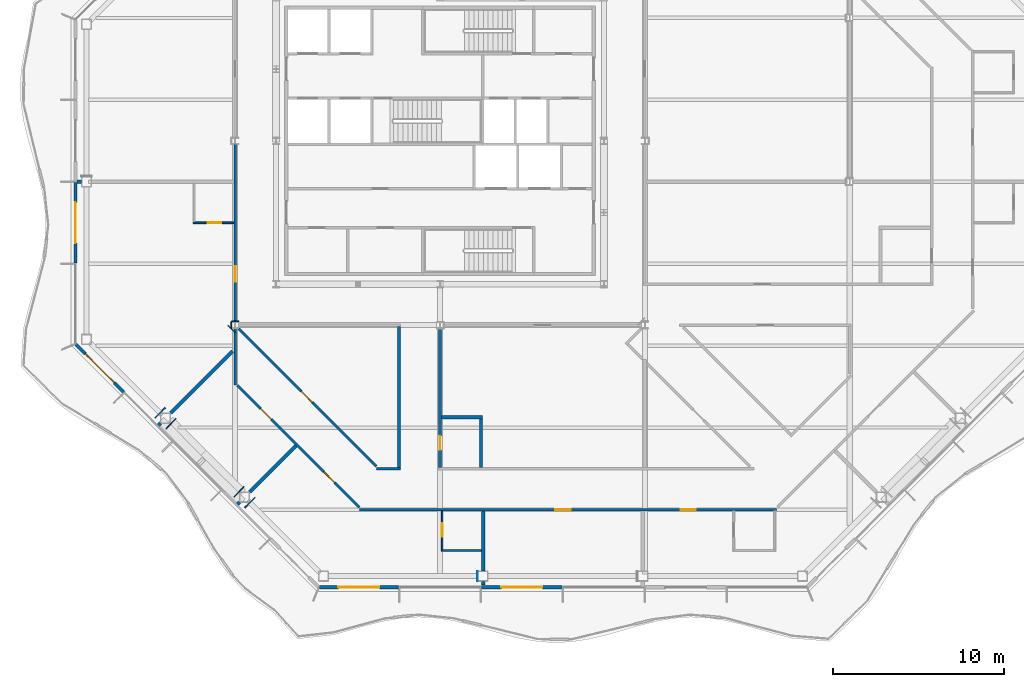
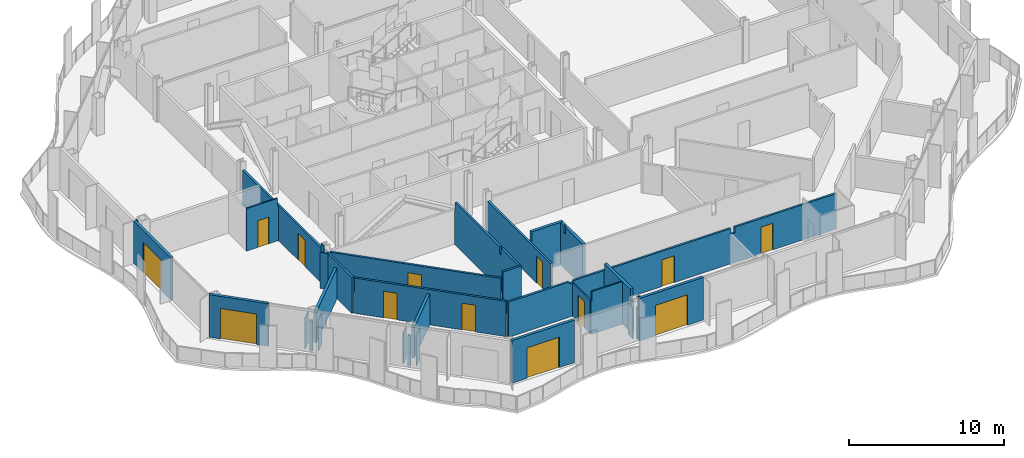
# One storey, part 7 of 19: 32 walls, 13 doors, 13 openings.
"""IFC4 building model written with IfcOpenShell, lengths in metres."""

from ifc_helpers import new_model, si_unit, direction, frame, frame_2d, origin, place, context, subcontext, project, spatial, polyline, rectangle, outline, extrude, material, layer, layer_set, type_object, element, fill, save


model = new_model("IFC4")

# Units and contexts
model_context = context("Model", 3, precision=1e-05, world=origin(), true_north=direction((0.0, 1.0)))
body_context = subcontext(model_context, "Body", "Model", "MODEL_VIEW")
ifc_project = project(units=[si_unit("LENGTHUNIT", "METRE"), si_unit("AREAUNIT", "SQUARE_METRE"), si_unit("VOLUMEUNIT", "CUBIC_METRE"), si_unit("PLANEANGLEUNIT", "RADIAN"), si_unit("MASSUNIT", "GRAM", prefix="KILO")], contexts=[model_context])

# Site, building, storey
site_placement = place(None, origin())
site = spatial("IfcSite", under=ifc_project, at=site_placement, CompositionType="ELEMENT")
building_placement = place(site_placement, origin())
building = spatial("IfcBuilding", under=site, at=building_placement, Name="Cairn Pilgrim Tower", CompositionType="ELEMENT")
storey_placement = place(building_placement, frame((0.0, 0.0, 201.0)))
storey = spatial("IfcBuildingStorey", under=building, at=storey_placement, Name="L51", CompositionType="ELEMENT", Elevation=201.0)

# Wall, opening, door
ifc_material_1 = material(Name="Bronze anodised aluminium insulated sandwich panel with mineral wool fill", Category="aluminium")
ifc_layer_1 = layer(ifc_material_1, 0.199951171875)
ifc_layer_set_1 = layer_set([ifc_layer_1], Name="BRONZE INFILL FRAME WALL 200")
wall_type_1 = type_object("IfcWallType", Name="BRONZE INFILL FRAME WALL 200", PredefinedType="NOTDEFINED", material=ifc_layer_set_1)
wall_1_placement = place(storey_placement, frame((0.1435546875, -23.75, 0.0), z_axis=(0.0, 0.0, 1.0), x_axis=(1.0, 0.0, 0.0)))
wall_1 = element("IfcWall", 1, at=wall_1_placement, inside=storey, type_object=wall_type_1, Name="Bronze infill frame wall IW-S1", PredefinedType="NOTDEFINED", context=body_context, shape_type="SweptSolid", body=[
    extrude(rectangle(XDim=4.62646484375, YDim=0.199951171875, at=frame_2d((2.313232421875, 0.0))), origin(), (0.0, 0.0, 1.0), 3.35009765625),
])
opening_1_placement = place(wall_1_placement, frame((1.1083984375, 0.0, 0.0)))
opening_1 = element("IfcOpeningElement", 2, at=opening_1_placement, cuts=wall_1, Name="Opening 5113B2", PredefinedType="OPENING", context=body_context, shape_type="SweptSolid", body=[
    extrude(rectangle(XDim=2.39990234375, YDim=2.39990234375, at=frame_2d((1.199951171875, 1.199951171875))), frame((0.0, 0.10986328125, 0.0), z_axis=(0.0, -1.0, 0.0), x_axis=(1.0, 0.0, 0.0)), (0.0, 0.0, 1.0), 0.219970703125),
])
ifc_material_2 = material(Name="Bronze anodised aluminium frame with tinted low-E glass", Category="aluminium")
door_type_1 = type_object("IfcDoorType", Name="BALCONY SLIDING DOOR 2400x2400", OperationType="DOUBLE_DOOR_SLIDING", PredefinedType="DOOR", material=ifc_material_2)
door_1_placement = place(opening_1_placement, origin())
door_1 = element("IfcDoor", 3, at=door_1_placement, inside=storey, type_object=door_type_1, Name="Balcony sliding door 5113B2", OperationType="SINGLE_SWING_LEFT", OverallHeight=2.39990234375, OverallWidth=2.39990234375, PredefinedType="DOOR", context=body_context, shape_type="SweptSolid", body=[
    extrude(rectangle(XDim=2.39990234375, YDim=2.39990234375, at=frame_2d((1.199951171875, 1.199951171875))), frame((0.0, 0.02490234375, 0.0), z_axis=(0.0, -1.0, 0.0), x_axis=(1.0, 0.0, 0.0)), (0.0, 0.0, 1.0), 0.050048828125),
])
fill(opening_1, door_1)

wall_2_placement = place(storey_placement, frame((9.6298828125, -23.75, 0.0), z_axis=(0.0, 0.0, 1.0), x_axis=(1.0, 0.0, 0.0)))
wall_2 = element("IfcWall", 4, at=wall_2_placement, inside=storey, type_object=wall_type_1, Name="Bronze infill frame wall IW-S3", PredefinedType="NOTDEFINED", context=body_context, shape_type="SweptSolid", body=[
    extrude(rectangle(XDim=4.740234375, YDim=0.199951171875, at=frame_2d((2.3701171875, 0.0))), origin(), (0.0, 0.0, 1.0), 3.35009765625),
])
opening_2_placement = place(wall_2_placement, frame((1.17041015625, 0.0, 0.0)))
opening_2 = element("IfcOpeningElement", 5, at=opening_2_placement, cuts=wall_2, Name="Opening 5101B", PredefinedType="OPENING", context=body_context, shape_type="SweptSolid", body=[
    extrude(rectangle(XDim=2.39990234375, YDim=2.39990234375, at=frame_2d((1.199951171875, 1.199951171875))), frame((0.0, 0.10986328125, 0.0), z_axis=(0.0, -1.0, 0.0), x_axis=(1.0, 0.0, 0.0)), (0.0, 0.0, 1.0), 0.219970703125),
])
door_2_placement = place(opening_2_placement, origin())
door_2 = element("IfcDoor", 6, at=door_2_placement, inside=storey, type_object=door_type_1, Name="Balcony sliding door 5101B", OperationType="SINGLE_SWING_LEFT", OverallHeight=2.39990234375, OverallWidth=2.39990234375, PredefinedType="DOOR", context=body_context, shape_type="SweptSolid", body=[
    extrude(rectangle(XDim=2.39990234375, YDim=2.39990234375, at=frame_2d((1.199951171875, 1.199951171875))), frame((0.0, 0.02490234375, 0.0), z_axis=(0.0, -1.0, 0.0), x_axis=(1.0, 0.0, 0.0)), (0.0, 0.0, 1.0), 0.050048828125),
])
fill(opening_2, door_2)

wall_3_placement = place(storey_placement, frame((-14.14990234375, -0.030029296875, 0.0), z_axis=(0.0, 0.0, 1.0), x_axis=(0.0, -1.0, 0.0)))
wall_3 = element("IfcWall", 7, at=wall_3_placement, inside=storey, type_object=wall_type_1, Name="Bronze infill frame wall IW-W3", PredefinedType="NOTDEFINED", context=body_context, shape_type="SweptSolid", body=[
    extrude(rectangle(XDim=4.739990234375, YDim=0.199951171875, at=frame_2d((2.3701171875, 0.0))), origin(), (0.0, 0.0, 1.0), 3.35009765625),
])
opening_3_placement = place(wall_3_placement, frame((1.169921875, 0.0, 0.0)))
opening_3 = element("IfcOpeningElement", 8, at=opening_3_placement, cuts=wall_3, Name="Opening 5111B", PredefinedType="OPENING", context=body_context, shape_type="SweptSolid", body=[
    extrude(rectangle(XDim=2.39990234375, YDim=2.39990234375, at=frame_2d((1.199951171875, 1.199951171875))), frame((0.0, 0.10986328125, 0.0), z_axis=(0.0, -1.0, 0.0), x_axis=(1.0, 0.0, 0.0)), (0.0, 0.0, 1.0), 0.219970703125),
])
door_3_placement = place(opening_3_placement, origin())
door_3 = element("IfcDoor", 9, at=door_3_placement, inside=storey, type_object=door_type_1, Name="Balcony sliding door 5111B", OperationType="SINGLE_SWING_LEFT", OverallHeight=2.39990234375, OverallWidth=2.39990234375, PredefinedType="DOOR", context=body_context, shape_type="SweptSolid", body=[
    extrude(rectangle(XDim=2.39990234375, YDim=2.39990234375, at=frame_2d((1.199951171875, 1.199951171875))), frame((0.0, 0.02490234375, 0.0), z_axis=(0.0, -1.0, 0.0), x_axis=(1.0, 0.0, 0.0)), (0.0, 0.0, 1.0), 0.050048828125),
])
fill(opening_3, door_3)

wall_4_placement = place(storey_placement, frame((-14.121826171875, -9.524658203125, 0.0), z_axis=(0.0, 0.0, 1.0), x_axis=(0.707106781187, -0.707106781187, 0.0)))
wall_4 = element("IfcWall", 10, at=wall_4_placement, inside=storey, type_object=wall_type_1, Name="Bronze infill frame wall IW-SW1", PredefinedType="NOTDEFINED", context=body_context, shape_type="SweptSolid", body=[
    extrude(rectangle(XDim=3.961669921875, YDim=0.199951171875, at=frame_2d((1.98095703125, 0.0))), origin(), (0.0, 0.0, 1.0), 3.35009765625),
])
opening_4_placement = place(wall_4_placement, frame((0.775390625, 0.0, 0.0)))
opening_4 = element("IfcOpeningElement", 11, at=opening_4_placement, cuts=wall_4, Name="Opening 5111B2", PredefinedType="OPENING", context=body_context, shape_type="SweptSolid", body=[
    extrude(rectangle(XDim=2.39990234375, YDim=2.39990234375, at=frame_2d((1.199951171875, 1.199951171875))), frame((0.0, 0.10986328125, 0.0), z_axis=(0.0, -1.0, 0.0), x_axis=(1.0, 0.0, 0.0)), (0.0, 0.0, 1.0), 0.219970703125),
])
door_4_placement = place(opening_4_placement, origin())
door_4 = element("IfcDoor", 12, at=door_4_placement, inside=storey, type_object=door_type_1, Name="Balcony sliding door 5111B2", OperationType="SINGLE_SWING_LEFT", OverallHeight=2.39990234375, OverallWidth=2.39990234375, PredefinedType="DOOR", context=body_context, shape_type="SweptSolid", body=[
    extrude(rectangle(XDim=2.39990234375, YDim=2.39990234375, at=frame_2d((1.199951171875, 1.199951171875))), frame((0.0, 0.02490234375, 0.0), z_axis=(0.0, -1.0, 0.0), x_axis=(1.0, 0.0, 0.0)), (0.0, 0.0, 1.0), 0.050048828125),
])
fill(opening_4, door_4)

# Wall
ifc_material_3 = material(Name="Gypsum partition")
ifc_layer_2 = layer(ifc_material_3, 0.10009765625)
ifc_layer_set_2 = layer_set([ifc_layer_2], Name="PARTITION 100 DRYWALL")
wall_type_2 = type_object("IfcWallType", Name="PARTITION 100 DRYWALL", PredefinedType="PARTITIONING", material=ifc_layer_set_2)
wall_5_placement = place(storey_placement, frame((7.27392578125, -21.60009765625, 0.0), z_axis=(0.0, 0.0, 1.0), x_axis=(1.0, 0.0, 0.0)))
element("IfcWall", 13, at=wall_5_placement, inside=storey, type_object=wall_type_2, Name="PARTITION W005", PredefinedType="PARTITIONING", context=body_context, shape_type="SweptSolid", body=[
    extrude(outline(polyline([(0.0, 0.0), (2.35009765625, 0.0), (2.35009765625, 3.35009765625), (0.075927734375, 3.35009765625), (0.073974609375, 2.6298828125), (0.0, 2.6298828125), (0.0, 0.0)])), frame((0.0, 0.050048828125, 0.0), z_axis=(0.0, -1.0, 0.0), x_axis=(1.0, 0.0, 0.0)), (0.0, 0.0, 1.0), 0.10009765625),
])

# Wall, opening, door
wall_6_placement = place(storey_placement, frame((7.323974609375, -21.550048828125, 0.0), z_axis=(0.0, 0.0, 1.0), x_axis=(0.0, 1.0, 0.0)))
wall_6 = element("IfcWall", 14, at=wall_6_placement, inside=storey, type_object=wall_type_2, Name="PARTITION W006", PredefinedType="PARTITIONING", context=body_context, shape_type="SweptSolid", body=[
    extrude(rectangle(XDim=2.275146484375, YDim=0.10009765625, at=frame_2d((1.1376953125, 0.0))), origin(), (0.0, 0.0, 1.0), 2.6298828125),
])
opening_5_placement = place(wall_6_placement, frame((0.75, 0.0, 0.0)))
opening_5 = element("IfcOpeningElement", 15, at=opening_5_placement, cuts=wall_6, Name="Opening 5113A", PredefinedType="OPENING", context=body_context, shape_type="SweptSolid", body=[
    extrude(rectangle(XDim=0.800048828125, YDim=2.10009765625, at=frame_2d((0.39990234375, 1.050048828125))), frame((0.0, 0.06005859375, 0.0), z_axis=(0.0, -1.0, 0.0), x_axis=(1.0, 0.0, 0.0)), (0.0, 0.0, 1.0), 0.1201171875),
])
ifc_material_4 = material(Name="Timber door leaf", Category="wood")
door_type_2 = type_object("IfcDoorType", Name="WC DOOR 800x2100", OperationType="NOTDEFINED", PredefinedType="DOOR", material=ifc_material_4)
door_5_placement = place(opening_5_placement, origin())
door_5 = element("IfcDoor", 16, at=door_5_placement, inside=storey, type_object=door_type_2, Name="DOOR 5113A", OperationType="SINGLE_SWING_RIGHT", OverallHeight=2.10009765625, OverallWidth=0.800048828125, PredefinedType="DOOR", context=body_context, shape_type="SweptSolid", body=[
    extrude(rectangle(XDim=0.800048828125, YDim=2.10009765625, at=frame_2d((0.39990234375, 1.050048828125))), frame((0.0, 0.02490234375, 0.0), z_axis=(0.0, -1.0, 0.0), x_axis=(1.0, 0.0, 0.0)), (0.0, 0.0, 1.0), 0.050048828125),
])
fill(opening_5, door_5)

wall_7_placement = place(storey_placement, frame((-7.25, -2.39990234375, 0.0), z_axis=(0.0, 0.0, 1.0), x_axis=(1.0, 0.0, 0.0)))
wall_7 = element("IfcWall", 17, at=wall_7_placement, inside=storey, type_object=wall_type_2, Name="PARTITION W048", PredefinedType="PARTITIONING", context=body_context, shape_type="SweptSolid", body=[
    extrude(outline(polyline([(0.0, 0.0), (2.375, 0.0), (2.375, 2.72998046875), (2.300048828125, 2.72998046875), (2.298095703125, 3.35009765625), (0.0, 3.35009765625), (0.0, 0.0)])), frame((0.0, 0.050048828125, 0.0), z_axis=(0.0, -1.0, 0.0), x_axis=(1.0, 0.0, 0.0)), (0.0, 0.0, 1.0), 0.10009765625),
])
opening_6_placement = place(wall_7_placement, frame((0.85009765625, 0.0, 0.0)))
opening_6 = element("IfcOpeningElement", 18, at=opening_6_placement, cuts=wall_7, Name="Opening 5111A", PredefinedType="OPENING", context=body_context, shape_type="SweptSolid", body=[
    extrude(rectangle(XDim=0.800048828125, YDim=2.10009765625, at=frame_2d((0.39990234375, 1.050048828125))), frame((0.0, 0.06005859375, 0.0), z_axis=(0.0, -1.0, 0.0), x_axis=(1.0, 0.0, 0.0)), (0.0, 0.0, 1.0), 0.1201171875),
])
door_6_placement = place(opening_6_placement, frame((0.800048828125, 0.0, 0.0), z_axis=(0.0, 0.0, 1.0), x_axis=(-1.0, 0.0, 0.0)))
door_6 = element("IfcDoor", 19, at=door_6_placement, inside=storey, type_object=door_type_2, Name="DOOR 5111A", OperationType="SINGLE_SWING_RIGHT", OverallHeight=2.10009765625, OverallWidth=0.800048828125, PredefinedType="DOOR", context=body_context, shape_type="SweptSolid", body=[
    extrude(rectangle(XDim=0.800048828125, YDim=2.10009765625, at=frame_2d((0.39990234375, 1.050048828125))), frame((0.0, 0.02490234375, 0.0), z_axis=(0.0, -1.0, 0.0), x_axis=(1.0, 0.0, 0.0)), (0.0, 0.0, 1.0), 0.050048828125),
])
fill(opening_6, door_6)

# Wall, openings, doors
ifc_layer_3 = layer(ifc_material_3, 0.14990234375)
ifc_layer_set_3 = layer_set([ifc_layer_3], Name="PARTITION 150 DRYWALL EI 60")
wall_type_3 = type_object("IfcWallType", Name="PARTITION 150 DRYWALL EI 60", PredefinedType="PARTITIONING", material=ifc_layer_set_3)
wall_8_placement = place(storey_placement, frame((2.5, -19.199951171875, 0.0), z_axis=(0.0, 0.0, 1.0), x_axis=(1.0, 0.0, 0.0)))
wall_8 = element("IfcWall", 20, at=wall_8_placement, inside=storey, type_object=wall_type_3, Name="PARTITION W010", PredefinedType="PARTITIONING", context=body_context, shape_type="SweptSolid", body=[
    extrude(outline(polyline([(0.0, 0.0), (24.417724609375, 0.0), (24.41796875, 2.780029296875), (16.85107421875, 2.780029296875), (16.84912109375, 2.322021484375), (16.549072265625, 2.322021484375), (16.547119140625, 2.780029296875), (4.85009765625, 2.780029296875), (4.84814453125, 2.6298828125), (4.550048828125, 2.6298828125), (4.548095703125, 2.780029296875), (0.0, 2.780029296875), (0.0, 0.0)])), frame((0.0, 0.074951171875, 0.0), z_axis=(0.0, -1.0, 0.0), x_axis=(1.0, 0.0, 0.0)), (0.0, 0.0, 1.0), 0.14990234375),
])
opening_7_placement = place(wall_8_placement, frame((11.449951171875, 0.0, 0.0)))
opening_7 = element("IfcOpeningElement", 21, at=opening_7_placement, cuts=wall_8, Name="Opening 5101", PredefinedType="OPENING", context=body_context, shape_type="SweptSolid", body=[
    extrude(rectangle(XDim=0.89990234375, YDim=2.10009765625, at=frame_2d((0.449951171875, 1.050048828125))), frame((0.0, 0.0849609375, 0.0), z_axis=(0.0, -1.0, 0.0), x_axis=(1.0, 0.0, 0.0)), (0.0, 0.0, 1.0), 0.169921875),
])
opening_8_placement = place(wall_8_placement, frame((18.7939453125, 0.0, 0.0)))
opening_8 = element("IfcOpeningElement", 22, at=opening_8_placement, cuts=wall_8, Name="Opening 5102", PredefinedType="OPENING", context=body_context, shape_type="SweptSolid", body=[
    extrude(rectangle(XDim=0.89990234375, YDim=2.10009765625, at=frame_2d((0.449951171875, 1.050048828125))), frame((0.0, 0.0849609375, 0.0), z_axis=(0.0, -1.0, 0.0), x_axis=(1.0, 0.0, 0.0)), (0.0, 0.0, 1.0), 0.169921875),
])
door_type_3 = type_object("IfcDoorType", Name="ROOM DOOR 900x2100 FD30S", OperationType="NOTDEFINED", PredefinedType="DOOR", material=ifc_material_4)
door_7_placement = place(opening_8_placement, frame((0.89990234375, 0.0, 0.0), z_axis=(0.0, 0.0, 1.0), x_axis=(-1.0, 0.0, 0.0)))
door_7 = element("IfcDoor", 23, at=door_7_placement, inside=storey, type_object=door_type_3, Name="DOOR 5102", OperationType="SINGLE_SWING_LEFT", OverallHeight=2.10009765625, OverallWidth=0.89990234375, PredefinedType="DOOR", context=body_context, shape_type="SweptSolid", body=[
    extrude(rectangle(XDim=0.89990234375, YDim=2.10009765625, at=frame_2d((0.449951171875, 1.050048828125))), frame((0.0, 0.02490234375, 0.0), z_axis=(0.0, -1.0, 0.0), x_axis=(1.0, 0.0, 0.0)), (0.0, 0.0, 1.0), 0.050048828125),
])
fill(opening_8, door_7)
door_type_4 = type_object("IfcDoorType", Name="SERVICE DOOR 900x2100 FD30S", OperationType="NOTDEFINED", PredefinedType="DOOR", material=ifc_material_4)
door_8_placement = place(opening_7_placement, frame((0.89990234375, 0.0, 0.0), z_axis=(0.0, 0.0, 1.0), x_axis=(-1.0, 0.0, 0.0)))
door_8 = element("IfcDoor", 24, at=door_8_placement, inside=storey, type_object=door_type_4, Name="DOOR 5101", OperationType="SINGLE_SWING_LEFT", OverallHeight=2.10009765625, OverallWidth=0.89990234375, PredefinedType="DOOR", context=body_context, shape_type="SweptSolid", body=[
    extrude(rectangle(XDim=0.89990234375, YDim=2.10009765625, at=frame_2d((0.449951171875, 1.050048828125))), frame((0.0, 0.02490234375, 0.0), z_axis=(0.0, -1.0, 0.0), x_axis=(1.0, 0.0, 0.0)), (0.0, 0.0, 1.0), 0.050048828125),
])
fill(opening_7, door_8)

wall_9_placement = place(storey_placement, frame((2.47802734375, -19.072021484375, 0.0), z_axis=(0.0, 0.0, 1.0), x_axis=(-0.707106781187, 0.707106781187, 0.0)))
wall_9 = element("IfcWall", 25, at=wall_9_placement, inside=storey, type_object=wall_type_3, Name="PARTITION W011", PredefinedType="PARTITIONING", context=body_context, shape_type="SweptSolid", body=[
    extrude(rectangle(XDim=10.111572265625, YDim=0.14990234375, at=frame_2d((5.0556640625, 0.0))), origin(), (0.0, 0.0, 1.0), 2.780029296875),
])
opening_9_placement = place(wall_9_placement, frame((7.2861328125, 0.0, 0.0)))
opening_9 = element("IfcOpeningElement", 26, at=opening_9_placement, cuts=wall_9, Name="Opening 5112", PredefinedType="OPENING", context=body_context, shape_type="SweptSolid", body=[
    extrude(rectangle(XDim=0.89990234375, YDim=2.10009765625, at=frame_2d((0.449951171875, 1.050048828125))), frame((0.0, 0.0849609375, 0.0), z_axis=(0.0, -1.0, 0.0), x_axis=(1.0, 0.0, 0.0)), (0.0, 0.0, 1.0), 0.169921875),
])
opening_10_placement = place(wall_9_placement, frame((2.050048828125, 0.0, 0.0)))
opening_10 = element("IfcOpeningElement", 27, at=opening_10_placement, cuts=wall_9, Name="Opening 5113", PredefinedType="OPENING", context=body_context, shape_type="SweptSolid", body=[
    extrude(rectangle(XDim=0.89990234375, YDim=2.10009765625, at=frame_2d((0.449951171875, 1.050048828125))), frame((0.0, 0.0849609375, 0.0), z_axis=(0.0, -1.0, 0.0), x_axis=(1.0, 0.0, 0.0)), (0.0, 0.0, 1.0), 0.169921875),
])
door_9_placement = place(opening_10_placement, origin())
door_9 = element("IfcDoor", 28, at=door_9_placement, inside=storey, type_object=door_type_3, Name="DOOR 5113", OperationType="SINGLE_SWING_RIGHT", OverallHeight=2.10009765625, OverallWidth=0.89990234375, PredefinedType="DOOR", context=body_context, shape_type="SweptSolid", body=[
    extrude(rectangle(XDim=0.89990234375, YDim=2.10009765625, at=frame_2d((0.449951171875, 1.050048828125))), frame((0.0, 0.02490234375, 0.0), z_axis=(0.0, -1.0, 0.0), x_axis=(1.0, 0.0, 0.0)), (0.0, 0.0, 1.0), 0.050048828125),
])
fill(opening_10, door_9)
door_10_placement = place(opening_9_placement, origin())
door_10 = element("IfcDoor", 29, at=door_10_placement, inside=storey, type_object=door_type_4, Name="DOOR 5112", OperationType="SINGLE_SWING_RIGHT", OverallHeight=2.10009765625, OverallWidth=0.89990234375, PredefinedType="DOOR", context=body_context, shape_type="SweptSolid", body=[
    extrude(rectangle(XDim=0.89990234375, YDim=2.10009765625, at=frame_2d((0.449951171875, 1.050048828125))), frame((0.0, 0.02490234375, 0.0), z_axis=(0.0, -1.0, 0.0), x_axis=(1.0, 0.0, 0.0)), (0.0, 0.0, 1.0), 0.050048828125),
])
fill(opening_9, door_10)

# Wall
wall_10_placement = place(storey_placement, frame((3.493896484375, -16.800048828125, 0.0), z_axis=(0.0, 0.0, 1.0), x_axis=(1.0, 0.0, 0.0)))
element("IfcWall", 30, at=wall_10_placement, inside=storey, type_object=wall_type_3, Name="PARTITION W017", PredefinedType="PARTITIONING", context=body_context, shape_type="SweptSolid", body=[
    extrude(rectangle(XDim=1.381103515625, YDim=0.14990234375, at=frame_2d((0.6904296875, 0.0))), origin(), (0.0, 0.0, 1.0), 3.35009765625),
])

# Wall, opening, door
wall_11_placement = place(storey_placement, frame((3.471923828125, -16.672119140625, 0.0), z_axis=(0.0, 0.0, 1.0), x_axis=(-0.70709609053, 0.707117471682, 0.0)))
wall_11 = element("IfcWall", 31, at=wall_11_placement, inside=storey, type_object=wall_type_3, Name="PARTITION W019", PredefinedType="PARTITIONING", context=body_context, shape_type="SweptSolid", body=[
    extrude(rectangle(XDim=11.41845703125, YDim=0.14990234375, at=frame_2d((5.709228515625, 0.0))), origin(), (0.0, 0.0, 1.0), 2.780029296875),
])
opening_11_placement = place(wall_11_placement, frame((5.308349609375, 0.0, 0.0)))
opening_11 = element("IfcOpeningElement", 32, at=opening_11_placement, cuts=wall_11, Name="Opening 5124", PredefinedType="OPENING", context=body_context, shape_type="SweptSolid", body=[
    extrude(rectangle(XDim=0.89990234375, YDim=2.10009765625, at=frame_2d((0.449951171875, 1.050048828125))), frame((0.0, 0.0849609375, 0.0), z_axis=(0.0, -1.0, 0.0), x_axis=(1.0, 0.0, 0.0)), (0.0, 0.0, 1.0), 0.169921875),
])
door_11_placement = place(opening_11_placement, frame((0.89990234375, 0.0, 0.0), z_axis=(0.0, 0.0, 1.0), x_axis=(-1.0, 0.0, 0.0)))
door_11 = element("IfcDoor", 33, at=door_11_placement, inside=storey, type_object=door_type_4, Name="DOOR 5124", OperationType="SINGLE_SWING_LEFT", OverallHeight=2.10009765625, OverallWidth=0.89990234375, PredefinedType="DOOR", context=body_context, shape_type="SweptSolid", body=[
    extrude(rectangle(XDim=0.89990234375, YDim=2.10009765625, at=frame_2d((0.449951171875, 1.050048828125))), frame((0.0, 0.02490234375, 0.0), z_axis=(0.0, -1.0, 0.0), x_axis=(1.0, 0.0, 0.0)), (0.0, 0.0, 1.0), 0.050048828125),
])
fill(opening_11, door_11)

# Wall
wall_12_placement = place(storey_placement, frame((4.800048828125, -16.72509765625, 0.0), z_axis=(0.0, 0.0, 1.0), x_axis=(0.0, 1.0, 0.0)))
element("IfcWall", 34, at=wall_12_placement, inside=storey, type_object=wall_type_3, Name="PARTITION W020", PredefinedType="PARTITIONING", context=body_context, shape_type="SweptSolid", body=[
    extrude(outline(polyline([(0.0, 0.0), (8.25, 0.0), (8.25, 2.72998046875), (8.175048828125, 2.72998046875), (8.173095703125, 3.35009765625), (2.429931640625, 3.35009765625), (2.427978515625, 2.780029296875), (2.219970703125, 2.780029296875), (2.218017578125, 3.35009765625), (0.0, 3.35009765625), (0.0, 0.0)])), frame((0.0, 0.074951171875, 0.0), z_axis=(0.0, -1.0, 0.0), x_axis=(1.0, 0.0, 0.0)), (0.0, 0.0, 1.0), 0.14990234375),
])

# Wall, opening, door
wall_13_placement = place(storey_placement, frame((7.199951171875, -16.72509765625, 0.0), z_axis=(0.0, 0.0, 1.0), x_axis=(0.0, 1.0, 0.0)))
wall_13 = element("IfcWall", 35, at=wall_13_placement, inside=storey, type_object=wall_type_3, Name="PARTITION W021", PredefinedType="PARTITIONING", context=body_context, shape_type="SweptSolid", body=[
    extrude(rectangle(XDim=8.128662109375, YDim=0.14990234375, at=frame_2d((4.064453125, 0.0))), origin(), (0.0, 0.0, 1.0), 2.6298828125),
])
opening_12_placement = place(wall_13_placement, frame((1.02490234375, 0.0, 0.0)))
opening_12 = element("IfcOpeningElement", 36, at=opening_12_placement, cuts=wall_13, Name="Opening 5115", PredefinedType="OPENING", context=body_context, shape_type="SweptSolid", body=[
    extrude(rectangle(XDim=0.800048828125, YDim=2.10009765625, at=frame_2d((0.39990234375, 1.050048828125))), frame((0.0, 0.0849609375, 0.0), z_axis=(0.0, -1.0, 0.0), x_axis=(1.0, 0.0, 0.0)), (0.0, 0.0, 1.0), 0.169921875),
])
door_type_5 = type_object("IfcDoorType", Name="WC DOOR 800x2100 FD30S", OperationType="NOTDEFINED", PredefinedType="DOOR", material=ifc_material_4)
door_12_placement = place(opening_12_placement, frame((0.800048828125, 0.0, 0.0), z_axis=(0.0, 0.0, 1.0), x_axis=(-1.0, 0.0, 0.0)))
door_12 = element("IfcDoor", 37, at=door_12_placement, inside=storey, type_object=door_type_5, Name="DOOR 5115", OperationType="SINGLE_SWING_RIGHT", OverallHeight=2.10009765625, OverallWidth=0.800048828125, PredefinedType="DOOR", context=body_context, shape_type="SweptSolid", body=[
    extrude(rectangle(XDim=0.800048828125, YDim=2.10009765625, at=frame_2d((0.39990234375, 1.050048828125))), frame((0.0, 0.02490234375, 0.0), z_axis=(0.0, -1.0, 0.0), x_axis=(1.0, 0.0, 0.0)), (0.0, 0.0, 1.0), 0.050048828125),
])
fill(opening_12, door_12)

# Wall
wall_14_placement = place(storey_placement, frame((-4.800048828125, -11.900146484375, 0.0), z_axis=(0.0, 0.0, 1.0), x_axis=(0.0, 1.0, 0.0)))
element("IfcWall", 38, at=wall_14_placement, inside=storey, type_object=wall_type_3, Name="PARTITION W034", PredefinedType="PARTITIONING", context=body_context, shape_type="SweptSolid", body=[
    extrude(rectangle(XDim=3.3037109375, YDim=0.14990234375, at=frame_2d((1.65185546875, 0.0))), origin(), (0.0, 0.0, 1.0), 2.830078125),
])

# Wall, opening, door
wall_15_placement = place(storey_placement, frame((-4.800048828125, -8.20361328125, 0.0), z_axis=(0.0, 0.0, 1.0), x_axis=(0.0, 1.0, 0.0)))
wall_15 = element("IfcWall", 39, at=wall_15_placement, inside=storey, type_object=wall_type_3, Name="PARTITION W041", PredefinedType="PARTITIONING", context=body_context, shape_type="SweptSolid", body=[
    extrude(rectangle(XDim=10.4072265625, YDim=0.14990234375, at=frame_2d((5.20361328125, 0.0))), origin(), (0.0, 0.0, 1.0), 2.72998046875),
])
opening_13_placement = place(wall_15_placement, frame((2.353515625, 0.0, 0.0)))
opening_13 = element("IfcOpeningElement", 40, at=opening_13_placement, cuts=wall_15, Name="Opening 5111", PredefinedType="OPENING", context=body_context, shape_type="SweptSolid", body=[
    extrude(rectangle(XDim=0.89990234375, YDim=2.10009765625, at=frame_2d((0.449951171875, 1.050048828125))), frame((0.0, 0.0849609375, 0.0), z_axis=(0.0, -1.0, 0.0), x_axis=(1.0, 0.0, 0.0)), (0.0, 0.0, 1.0), 0.169921875),
])
door_13_placement = place(opening_13_placement, origin())
door_13 = element("IfcDoor", 41, at=door_13_placement, inside=storey, type_object=door_type_3, Name="DOOR 5111", OperationType="SINGLE_SWING_RIGHT", OverallHeight=2.10009765625, OverallWidth=0.89990234375, PredefinedType="DOOR", context=body_context, shape_type="SweptSolid", body=[
    extrude(rectangle(XDim=0.89990234375, YDim=2.10009765625, at=frame_2d((0.449951171875, 1.050048828125))), frame((0.0, 0.02490234375, 0.0), z_axis=(0.0, -1.0, 0.0), x_axis=(1.0, 0.0, 0.0)), (0.0, 0.0, 1.0), 0.050048828125),
])
fill(opening_13, door_13)

# Walls
ifc_layer_4 = layer(ifc_material_3, 0.050048828125)
ifc_layer_set_4 = layer_set([ifc_layer_4], Name="PARTITION 50 DRYWALL EI 60")
wall_type_4 = type_object("IfcWallType", Name="PARTITION 50 DRYWALL EI 60", PredefinedType="PARTITIONING", material=ifc_layer_set_4)
wall_16_placement = place(storey_placement, frame((9.3994140625, -23.39990234375, 0.0), z_axis=(0.0, 0.0, 1.0), x_axis=(0.0, 1.0, 0.0)))
element("IfcWall", 42, at=wall_16_placement, inside=storey, type_object=wall_type_4, Name="COLUMN CASING WC02", PredefinedType="PARTITIONING", context=body_context, shape_type="SweptSolid", body=[
    extrude(rectangle(XDim=0.599853515625, YDim=0.050048828125, at=frame_2d((0.2998046875, 0.0))), origin(), (0.0, 0.0, 1.0), 2.429931640625),
])
wall_17_placement = place(storey_placement, frame((-4.869140625, -18.4580078125, 0.0), z_axis=(0.0, 0.0, 1.0), x_axis=(0.706962899457, 0.707250633645, 0.0)))
element("IfcWall", 43, at=wall_17_placement, inside=storey, type_object=wall_type_4, Name="COLUMN CASING WC03", PredefinedType="PARTITIONING", context=body_context, shape_type="SweptSolid", body=[
    extrude(rectangle(XDim=0.848388671875, YDim=0.050048828125, at=frame_2d((0.42431640625, 0.0))), origin(), (0.0, 0.0, 1.0), 2.429931640625),
])
wall_18_placement = place(storey_placement, frame((-4.23388671875, -19.093505859375, 0.0), z_axis=(0.0, 0.0, 1.0), x_axis=(0.707106781187, 0.707106781187, 0.0)))
element("IfcWall", 44, at=wall_18_placement, inside=storey, type_object=wall_type_4, Name="COLUMN CASING WC04", PredefinedType="PARTITIONING", context=body_context, shape_type="SweptSolid", body=[
    extrude(rectangle(XDim=0.8486328125, YDim=0.050048828125, at=frame_2d((0.42431640625, 0.0))), origin(), (0.0, 0.0, 1.0), 2.429931640625),
])
wall_19_placement = place(storey_placement, frame((-4.817626953125, -8.813720703125, 0.0), z_axis=(0.0, 0.0, 1.0), x_axis=(-0.707106781187, 0.707106781187, 0.0)))
element("IfcWall", 45, at=wall_19_placement, inside=storey, type_object=wall_type_4, Name="COLUMN CASING WC07", PredefinedType="PARTITIONING", context=body_context, shape_type="SweptSolid", body=[
    extrude(rectangle(XDim=0.56005859375, YDim=0.050048828125, at=frame_2d((0.280029296875, 0.0))), origin(), (0.0, 0.0, 1.0), 2.830078125),
])
for number, where, z_axis, x_axis, name in (
    (46, (-9.493408203125, -13.833740234375, 0.0), (0.0, 0.0, 1.0), (0.707250633645, 0.706962899457, 0.0), "COLUMN CASING WC09"),
    (47, (-8.85791015625, -14.46923828125, 0.0), (0.0, 0.0, 1.0), (0.706962899457, 0.707250633645, 0.0), "COLUMN CASING WC10"),
):
    element("IfcWall", number, at=place(storey_placement, frame(where, z_axis=z_axis, x_axis=x_axis)), inside=storey, type_object=wall_type_4, Name=name, PredefinedType="PARTITIONING", context=body_context, shape_type="SweptSolid", body=[
        extrude(rectangle(XDim=0.848388671875, YDim=0.050048828125, at=frame_2d((0.42431640625, 0.0))), origin(), (0.0, 0.0, 1.0), 2.429931640625),
    ])
wall_20_placement = place(storey_placement, frame((-5.0244140625, -8.596435546875, 0.0), z_axis=(0.0, 0.0, 1.0), x_axis=(0.0, 1.0, 0.0)))
element("IfcWall", 48, at=wall_20_placement, inside=storey, type_object=wall_type_4, Name="COLUMN CASING WC13", PredefinedType="PARTITIONING", context=body_context, shape_type="SweptSolid", body=[
    extrude(rectangle(XDim=0.392822265625, YDim=0.050048828125, at=frame_2d((0.1962890625, 0.0))), origin(), (0.0, 0.0, 1.0), 3.35009765625),
])
wall_21_placement = place(storey_placement, frame((-4.99951171875, -8.178466796875, 0.0), z_axis=(0.0, 0.0, 1.0), x_axis=(1.0, 0.0, 0.0)))
element("IfcWall", 49, at=wall_21_placement, inside=storey, type_object=wall_type_4, Name="COLUMN CASING WC17", PredefinedType="PARTITIONING", context=body_context, shape_type="SweptSolid", body=[
    extrude(rectangle(XDim=0.39892578125, YDim=0.050048828125, at=frame_2d((0.199462890625, 0.0))), origin(), (0.0, 0.0, 1.0), 2.72998046875),
])
ifc_layer_5 = layer(ifc_material_3, 0.199951171875)
ifc_layer_set_5 = layer_set([ifc_layer_5], Name="SHAFT WALL 200 GYPSUM EI 60")
wall_type_5 = type_object("IfcWallType", Name="SHAFT WALL 200 GYPSUM EI 60", PredefinedType="PARTITIONING", material=ifc_layer_set_5)
wall_22_placement = place(storey_placement, frame((9.72412109375, -23.6201171875, 0.0), z_axis=(0.0, 0.0, 1.0), x_axis=(0.0, 1.0, 0.0)))
element("IfcWall", 50, at=wall_22_placement, inside=storey, type_object=wall_type_5, Name="PARTITION W002", PredefinedType="PARTITIONING", context=body_context, shape_type="SweptSolid", body=[
    extrude(outline(polyline([(0.0, 0.0), (0.22021484375, 0.0), (0.219970703125, 2.429931640625), (0.070068359375, 2.429931640625), (0.068115234375, 3.35009765625), (0.0, 3.35009765625), (0.0, 0.0)])), frame((0.0, 0.10009765625, 0.0), z_axis=(0.0, -1.0, 0.0), x_axis=(1.0, 0.0, 0.0)), (0.0, 0.0, 1.0), 0.199951171875),
])
wall_23_placement = place(storey_placement, frame((9.72412109375, -22.800048828125, 0.0), z_axis=(0.0, 0.0, 1.0), x_axis=(0.0, 1.0, 0.0)))
element("IfcWall", 51, at=wall_23_placement, inside=storey, type_object=wall_type_5, Name="PARTITION W003", PredefinedType="PARTITIONING", context=body_context, shape_type="SweptSolid", body=[
    extrude(outline(polyline([(0.0, 0.0), (3.525146484375, 0.0), (3.52490234375, 2.780029296875), (3.4951171875, 2.780029296875), (3.492919921875, 3.35009765625), (0.14990234375, 3.35009765625), (0.14794921875, 2.429931640625), (0.0, 2.429931640625), (0.0, 0.0)])), frame((0.0, 0.10009765625, 0.0), z_axis=(0.0, -1.0, 0.0), x_axis=(1.0, 0.0, 0.0)), (0.0, 0.0, 1.0), 0.199951171875),
])
wall_24_placement = place(storey_placement, frame((-4.668701171875, -18.892822265625, 0.0), z_axis=(0.0, 0.0, 1.0), x_axis=(0.707106781187, 0.707106781187, 0.0)))
element("IfcWall", 52, at=wall_24_placement, inside=storey, type_object=wall_type_5, Name="PARTITION W013", PredefinedType="PARTITIONING", context=body_context, shape_type="SweptSolid", body=[
    extrude(rectangle(XDim=0.165771484375, YDim=0.199951171875, at=frame_2d((0.0830078125, 0.0))), origin(), (0.0, 0.0, 1.0), 2.429931640625),
])
wall_25_placement = place(storey_placement, frame((-3.95166015625, -18.175537109375, 0.0), z_axis=(0.0, 0.0, 1.0), x_axis=(0.707138590574, 0.707074970368, 0.0)))
element("IfcWall", 53, at=wall_25_placement, inside=storey, type_object=wall_type_5, Name="PARTITION W015", PredefinedType="PARTITIONING", context=body_context, shape_type="SweptSolid", body=[
    extrude(rectangle(XDim=3.83740234375, YDim=0.199951171875, at=frame_2d((1.918701171875, 0.0))), origin(), (0.0, 0.0, 1.0), 2.429931640625),
])
wall_26_placement = place(storey_placement, frame((9.60009765625, -16.72509765625, 0.0), z_axis=(0.0, 0.0, 1.0), x_axis=(0.0, 1.0, 0.0)))
element("IfcWall", 54, at=wall_26_placement, inside=storey, type_object=wall_type_5, Name="PARTITION W022", PredefinedType="PARTITIONING", context=body_context, shape_type="SweptSolid", body=[
    extrude(outline(polyline([(0.0, 0.0), (2.8251953125, 0.0), (2.824951171875, 3.35009765625), (2.429931640625, 3.35009765625), (2.427978515625, 2.780029296875), (2.219970703125, 2.780029296875), (2.218017578125, 3.35009765625), (0.0, 3.35009765625), (0.0, 0.0)])), frame((0.0, 0.10009765625, 0.0), z_axis=(0.0, -1.0, 0.0), x_axis=(1.0, 0.0, 0.0)), (0.0, 0.0, 1.0), 0.199951171875),
])
wall_27_placement = place(storey_placement, frame((-9.292724609375, -14.268798828125, 0.0), z_axis=(0.0, 0.0, 1.0), x_axis=(0.707106781187, 0.707106781187, 0.0)))
element("IfcWall", 55, at=wall_27_placement, inside=storey, type_object=wall_type_5, Name="PARTITION W029", PredefinedType="PARTITIONING", context=body_context, shape_type="SweptSolid", body=[
    extrude(rectangle(XDim=0.165771484375, YDim=0.199951171875, at=frame_2d((0.0830078125, 0.0))), origin(), (0.0, 0.0, 1.0), 2.429931640625),
])
wall_28_placement = place(storey_placement, frame((7.27490234375, -13.800048828125, 0.0), z_axis=(0.0, 0.0, 1.0), x_axis=(1.0, 0.0, 0.0)))
element("IfcWall", 56, at=wall_28_placement, inside=storey, type_object=wall_type_5, Name="PARTITION W031", PredefinedType="PARTITIONING", context=body_context, shape_type="SweptSolid", body=[
    extrude(outline(polyline([(0.0, 0.0), (2.425048828125, 0.0), (2.425048828125, 3.35009765625), (0.074951171875, 3.35009765625), (0.072998046875, 2.6298828125), (0.0, 2.6298828125), (0.0, 0.0)])), frame((0.0, 0.10009765625, 0.0), z_axis=(0.0, -1.0, 0.0), x_axis=(1.0, 0.0, 0.0)), (0.0, 0.0, 1.0), 0.199951171875),
])
wall_29_placement = place(storey_placement, frame((-8.57568359375, -13.551513671875, 0.0), z_axis=(0.0, 0.0, 1.0), x_axis=(0.707106781187, 0.707106781187, 0.0)))
element("IfcWall", 57, at=wall_29_placement, inside=storey, type_object=wall_type_5, Name="PARTITION W032", PredefinedType="PARTITIONING", context=body_context, shape_type="SweptSolid", body=[
    extrude(rectangle(XDim=5.133544921875, YDim=0.199951171875, at=frame_2d((2.56689453125, 0.0))), origin(), (0.0, 0.0, 1.0), 2.429931640625),
])
wall_30_placement = place(storey_placement, frame((-14.050048828125, 0.0, 0.0), z_axis=(0.0, 0.0, 1.0), x_axis=(1.0, 0.0, 0.0)))
element("IfcWall", 58, at=wall_30_placement, inside=storey, type_object=wall_type_5, Name="PARTITION W052", PredefinedType="PARTITIONING", context=body_context, shape_type="SweptSolid", body=[
    extrude(outline(polyline([(0.0, 0.0), (0.25, 0.0), (0.25, 2.429931640625), (0.10009765625, 2.429931640625), (0.097900390625, 3.35009765625), (0.0, 3.35009765625), (0.0, 0.0)])), frame((0.0, 0.10009765625, 0.0), z_axis=(0.0, -1.0, 0.0), x_axis=(1.0, 0.0, 0.0)), (0.0, 0.0, 1.0), 0.199951171875),
])

save(model, "model.ifc")
